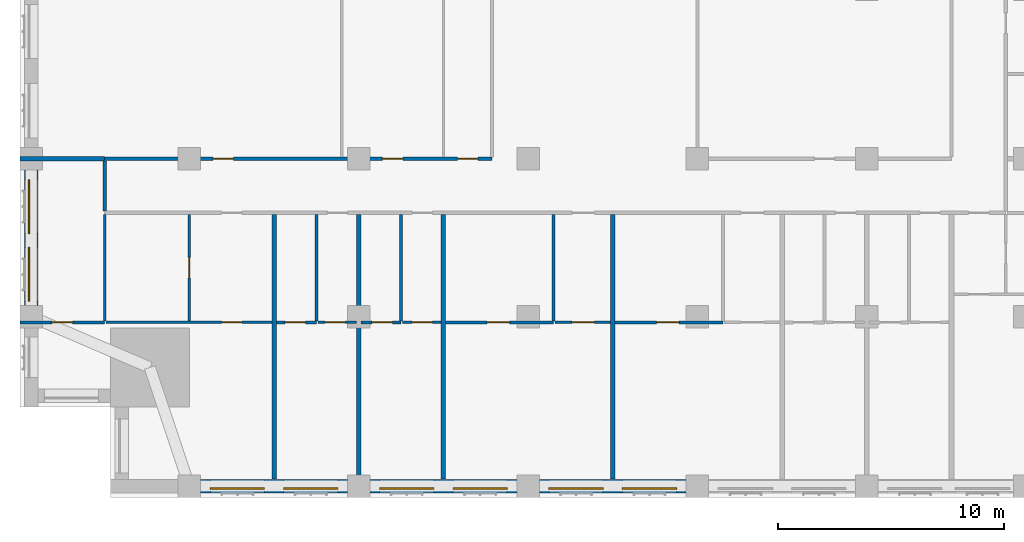
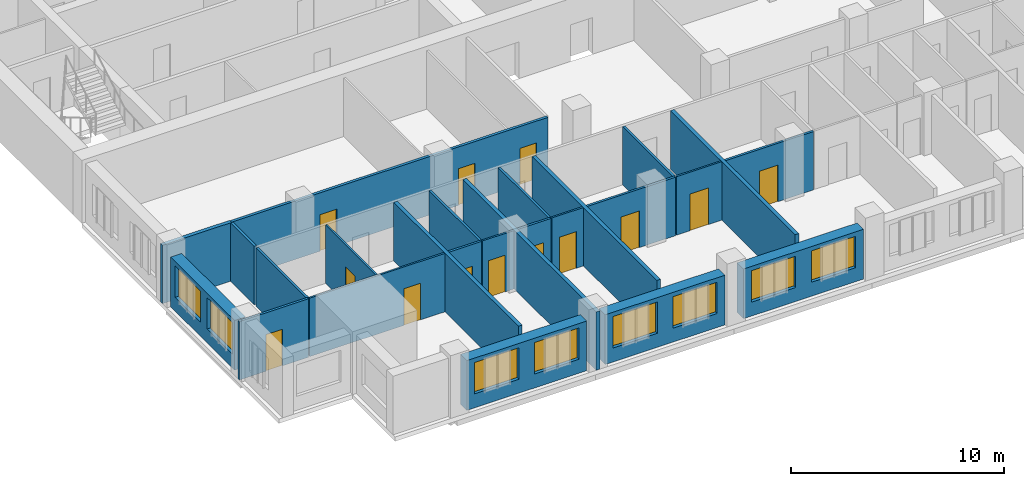
# One storey, part 4 of 14: 25 walls, 13 doors, 8 windows, 21 openings.
"""IFC4 building model written with IfcOpenShell, lengths in metres."""

from ifc_helpers import new_model, si_unit, direction, frame, frame_2d, origin, place, context, subcontext, project, spatial, rectangle, extrude, material, layer, layer_set, type_object, element, fill, save


model = new_model("IFC4")

# Units and contexts
model_context = context("Model", 3, precision=1e-05, world=origin(), true_north=direction((0.0, 1.0)))
body_context = subcontext(model_context, "Body", "Model", "MODEL_VIEW")
ifc_project = project(units=[si_unit("LENGTHUNIT", "METRE"), si_unit("AREAUNIT", "SQUARE_METRE"), si_unit("VOLUMEUNIT", "CUBIC_METRE"), si_unit("PLANEANGLEUNIT", "RADIAN"), si_unit("MASSUNIT", "GRAM", prefix="KILO")], contexts=[model_context])

# Site, building, storey
site_placement = place(None, origin())
site = spatial("IfcSite", under=ifc_project, at=site_placement, CompositionType="ELEMENT")
building_placement = place(site_placement, origin())
building = spatial("IfcBuilding", under=site, at=building_placement, Name="Tamorin Gate", CompositionType="ELEMENT")
storey_placement = place(building_placement, frame((0.0, 0.0, 141.0)))
storey = spatial("IfcBuildingStorey", under=building, at=storey_placement, Name="L34", CompositionType="ELEMENT", Elevation=141.0)

# Wall, openings, windows
ifc_material_1 = material(Name="Precast concrete C40/50", Category="concrete")
ifc_layer_1 = layer(ifc_material_1, 0.60009765625)
ifc_layer_set_1 = layer_set([ifc_layer_1], Name="Precast concrete C40/50")
wall_type_1 = type_object("IfcWallType", Name="Board-marked concrete facade panel 600", PredefinedType="SOLIDWALL", material=ifc_layer_set_1)
wall_1_placement = place(storey_placement, frame((38.0, 38.0, 0.0), z_axis=(0.0, 0.0, 1.0), x_axis=(1.0, 0.0, 0.0)))
wall_1 = element("IfcWall", 1, at=wall_1_placement, inside=storey, type_object=wall_type_1, Name="Facade panel", PredefinedType="SOLIDWALL", context=body_context, shape_type="SweptSolid", body=[
    extrude(rectangle(XDim=6.5, YDim=0.60009765625, at=frame_2d((3.25, 0.0))), origin(), (0.0, 0.0, 1.0), 2.85009765625),
])
opening_1_placement = place(wall_1_placement, frame((0.425048828125, 0.0, 0.800048828125)))
opening_1 = element("IfcOpeningElement", 2, at=opening_1_placement, cuts=wall_1, Name="Opening WN1", PredefinedType="OPENING", context=body_context, shape_type="SweptSolid", body=[
    extrude(rectangle(XDim=2.39990234375, YDim=1.800048828125, at=frame_2d((1.199951171875, 0.89990234375))), frame((0.0, 0.31005859375, 0.0), z_axis=(0.0, -1.0, 0.0), x_axis=(1.0, 0.0, 0.0)), (0.0, 0.0, 1.0), 0.6201171875),
])
opening_2_placement = place(wall_1_placement, frame((3.675048828125, 0.0, 0.800048828125)))
opening_2 = element("IfcOpeningElement", 3, at=opening_2_placement, cuts=wall_1, Name="Opening WN1", PredefinedType="OPENING", context=body_context, shape_type="SweptSolid", body=[
    extrude(rectangle(XDim=2.39990234375, YDim=1.800048828125, at=frame_2d((1.199951171875, 0.89990234375))), frame((0.0, 0.31005859375, 0.0), z_axis=(0.0, -1.0, 0.0), x_axis=(1.0, 0.0, 0.0)), (0.0, 0.0, 1.0), 0.6201171875),
])
ifc_material_2 = material(Name="Clear glass in aluminium frame", Category="aluminium")
window_type = type_object("IfcWindowType", Name="Deep-set window 2400x1800", PartitioningType="SINGLE_PANEL", PredefinedType="WINDOW", material=ifc_material_2)
window_1_placement = place(opening_1_placement, origin())
window_1 = element("IfcWindow", 4, at=window_1_placement, inside=storey, type_object=window_type, Name="Deep-set window", OverallHeight=1.800048828125, OverallWidth=2.39990234375, PartitioningType="SINGLE_PANEL", PredefinedType="WINDOW", context=body_context, shape_type="SweptSolid", body=[
    extrude(rectangle(XDim=2.39990234375, YDim=1.800048828125, at=frame_2d((1.199951171875, 0.89990234375))), frame((0.0, -0.070068359375, 0.0), z_axis=(0.0, -1.0, 0.0), x_axis=(1.0, 0.0, 0.0)), (0.0, 0.0, 1.0), 0.06005859375),
])
fill(opening_1, window_1)
window_2_placement = place(opening_2_placement, origin())
window_2 = element("IfcWindow", 5, at=window_2_placement, inside=storey, type_object=window_type, Name="Deep-set window", OverallHeight=1.800048828125, OverallWidth=2.39990234375, PartitioningType="SINGLE_PANEL", PredefinedType="WINDOW", context=body_context, shape_type="SweptSolid", body=[
    extrude(rectangle(XDim=2.39990234375, YDim=1.800048828125, at=frame_2d((1.199951171875, 0.89990234375))), frame((0.0, -0.070068359375, 0.0), z_axis=(0.0, -1.0, 0.0), x_axis=(1.0, 0.0, 0.0)), (0.0, 0.0, 1.0), 0.06005859375),
])
fill(opening_2, window_2)

wall_2_placement = place(storey_placement, frame((45.5, 38.0, 0.0), z_axis=(0.0, 0.0, 1.0), x_axis=(1.0, 0.0, 0.0)))
wall_2 = element("IfcWall", 6, at=wall_2_placement, inside=storey, type_object=wall_type_1, Name="Facade panel", PredefinedType="SOLIDWALL", context=body_context, shape_type="SweptSolid", body=[
    extrude(rectangle(XDim=6.5, YDim=0.60009765625, at=frame_2d((3.25, 0.0))), origin(), (0.0, 0.0, 1.0), 2.85009765625),
])
opening_3_placement = place(wall_2_placement, frame((0.425048828125, 0.0, 0.800048828125)))
opening_3 = element("IfcOpeningElement", 7, at=opening_3_placement, cuts=wall_2, Name="Opening WN1", PredefinedType="OPENING", context=body_context, shape_type="SweptSolid", body=[
    extrude(rectangle(XDim=2.39990234375, YDim=1.800048828125, at=frame_2d((1.199951171875, 0.89990234375))), frame((0.0, 0.31005859375, 0.0), z_axis=(0.0, -1.0, 0.0), x_axis=(1.0, 0.0, 0.0)), (0.0, 0.0, 1.0), 0.6201171875),
])
opening_4_placement = place(wall_2_placement, frame((3.675048828125, 0.0, 0.800048828125)))
opening_4 = element("IfcOpeningElement", 8, at=opening_4_placement, cuts=wall_2, Name="Opening WN1", PredefinedType="OPENING", context=body_context, shape_type="SweptSolid", body=[
    extrude(rectangle(XDim=2.39990234375, YDim=1.800048828125, at=frame_2d((1.199951171875, 0.89990234375))), frame((0.0, 0.31005859375, 0.0), z_axis=(0.0, -1.0, 0.0), x_axis=(1.0, 0.0, 0.0)), (0.0, 0.0, 1.0), 0.6201171875),
])
window_3_placement = place(opening_3_placement, origin())
window_3 = element("IfcWindow", 9, at=window_3_placement, inside=storey, type_object=window_type, Name="Deep-set window", OverallHeight=1.800048828125, OverallWidth=2.39990234375, PartitioningType="SINGLE_PANEL", PredefinedType="WINDOW", context=body_context, shape_type="SweptSolid", body=[
    extrude(rectangle(XDim=2.39990234375, YDim=1.800048828125, at=frame_2d((1.199951171875, 0.89990234375))), frame((0.0, -0.070068359375, 0.0), z_axis=(0.0, -1.0, 0.0), x_axis=(1.0, 0.0, 0.0)), (0.0, 0.0, 1.0), 0.06005859375),
])
fill(opening_3, window_3)
window_4_placement = place(opening_4_placement, origin())
window_4 = element("IfcWindow", 10, at=window_4_placement, inside=storey, type_object=window_type, Name="Deep-set window", OverallHeight=1.800048828125, OverallWidth=2.39990234375, PartitioningType="SINGLE_PANEL", PredefinedType="WINDOW", context=body_context, shape_type="SweptSolid", body=[
    extrude(rectangle(XDim=2.39990234375, YDim=1.800048828125, at=frame_2d((1.199951171875, 0.89990234375))), frame((0.0, -0.070068359375, 0.0), z_axis=(0.0, -1.0, 0.0), x_axis=(1.0, 0.0, 0.0)), (0.0, 0.0, 1.0), 0.06005859375),
])
fill(opening_4, window_4)

wall_3_placement = place(storey_placement, frame((53.0, 38.0, 0.0), z_axis=(0.0, 0.0, 1.0), x_axis=(1.0, 0.0, 0.0)))
wall_3 = element("IfcWall", 11, at=wall_3_placement, inside=storey, type_object=wall_type_1, Name="Facade panel", PredefinedType="SOLIDWALL", context=body_context, shape_type="SweptSolid", body=[
    extrude(rectangle(XDim=6.5, YDim=0.60009765625, at=frame_2d((3.25, 0.0))), origin(), (0.0, 0.0, 1.0), 2.85009765625),
])
opening_5_placement = place(wall_3_placement, frame((0.425048828125, 0.0, 0.800048828125)))
opening_5 = element("IfcOpeningElement", 12, at=opening_5_placement, cuts=wall_3, Name="Opening WN1", PredefinedType="OPENING", context=body_context, shape_type="SweptSolid", body=[
    extrude(rectangle(XDim=2.39990234375, YDim=1.800048828125, at=frame_2d((1.199951171875, 0.89990234375))), frame((0.0, 0.31005859375, 0.0), z_axis=(0.0, -1.0, 0.0), x_axis=(1.0, 0.0, 0.0)), (0.0, 0.0, 1.0), 0.6201171875),
])
opening_6_placement = place(wall_3_placement, frame((3.675048828125, 0.0, 0.800048828125)))
opening_6 = element("IfcOpeningElement", 13, at=opening_6_placement, cuts=wall_3, Name="Opening WN1", PredefinedType="OPENING", context=body_context, shape_type="SweptSolid", body=[
    extrude(rectangle(XDim=2.39990234375, YDim=1.800048828125, at=frame_2d((1.199951171875, 0.89990234375))), frame((0.0, 0.31005859375, 0.0), z_axis=(0.0, -1.0, 0.0), x_axis=(1.0, 0.0, 0.0)), (0.0, 0.0, 1.0), 0.6201171875),
])
window_5_placement = place(opening_5_placement, origin())
window_5 = element("IfcWindow", 14, at=window_5_placement, inside=storey, type_object=window_type, Name="Deep-set window", OverallHeight=1.800048828125, OverallWidth=2.39990234375, PartitioningType="SINGLE_PANEL", PredefinedType="WINDOW", context=body_context, shape_type="SweptSolid", body=[
    extrude(rectangle(XDim=2.39990234375, YDim=1.800048828125, at=frame_2d((1.199951171875, 0.89990234375))), frame((0.0, -0.070068359375, 0.0), z_axis=(0.0, -1.0, 0.0), x_axis=(1.0, 0.0, 0.0)), (0.0, 0.0, 1.0), 0.06005859375),
])
fill(opening_5, window_5)
window_6_placement = place(opening_6_placement, origin())
window_6 = element("IfcWindow", 15, at=window_6_placement, inside=storey, type_object=window_type, Name="Deep-set window", OverallHeight=1.800048828125, OverallWidth=2.39990234375, PartitioningType="SINGLE_PANEL", PredefinedType="WINDOW", context=body_context, shape_type="SweptSolid", body=[
    extrude(rectangle(XDim=2.39990234375, YDim=1.800048828125, at=frame_2d((1.199951171875, 0.89990234375))), frame((0.0, -0.070068359375, 0.0), z_axis=(0.0, -1.0, 0.0), x_axis=(1.0, 0.0, 0.0)), (0.0, 0.0, 1.0), 0.06005859375),
])
fill(opening_6, window_6)

wall_4_placement = place(storey_placement, frame((30.5, 52.0, 0.0), z_axis=(0.0, 0.0, 1.0), x_axis=(0.0, -1.0, 0.0)))
wall_4 = element("IfcWall", 16, at=wall_4_placement, inside=storey, type_object=wall_type_1, Name="Facade panel", PredefinedType="SOLIDWALL", context=body_context, shape_type="SweptSolid", body=[
    extrude(rectangle(XDim=6.0, YDim=0.60009765625, at=frame_2d((3.0, 0.0))), origin(), (0.0, 0.0, 1.0), 2.85009765625),
])
opening_7_placement = place(wall_4_placement, frame((3.425048828125, 0.0, 0.800048828125)))
opening_7 = element("IfcOpeningElement", 17, at=opening_7_placement, cuts=wall_4, Name="Opening WN1", PredefinedType="OPENING", context=body_context, shape_type="SweptSolid", body=[
    extrude(rectangle(XDim=2.39990234375, YDim=1.800048828125, at=frame_2d((1.199951171875, 0.89990234375))), frame((0.0, 0.31005859375, 0.0), z_axis=(0.0, -1.0, 0.0), x_axis=(1.0, 0.0, 0.0)), (0.0, 0.0, 1.0), 0.6201171875),
])
opening_8_placement = place(wall_4_placement, frame((0.425048828125, 0.0, 0.800048828125)))
opening_8 = element("IfcOpeningElement", 18, at=opening_8_placement, cuts=wall_4, Name="Opening WN1", PredefinedType="OPENING", context=body_context, shape_type="SweptSolid", body=[
    extrude(rectangle(XDim=2.39990234375, YDim=1.800048828125, at=frame_2d((1.199951171875, 0.89990234375))), frame((0.0, 0.31005859375, 0.0), z_axis=(0.0, -1.0, 0.0), x_axis=(1.0, 0.0, 0.0)), (0.0, 0.0, 1.0), 0.6201171875),
])
window_7_placement = place(opening_7_placement, origin())
window_7 = element("IfcWindow", 19, at=window_7_placement, inside=storey, type_object=window_type, Name="Deep-set window", OverallHeight=1.800048828125, OverallWidth=2.39990234375, PartitioningType="SINGLE_PANEL", PredefinedType="WINDOW", context=body_context, shape_type="SweptSolid", body=[
    extrude(rectangle(XDim=2.39990234375, YDim=1.800048828125, at=frame_2d((1.199951171875, 0.89990234375))), frame((0.0, -0.070068359375, 0.0), z_axis=(0.0, -1.0, 0.0), x_axis=(1.0, 0.0, 0.0)), (0.0, 0.0, 1.0), 0.06005859375),
])
fill(opening_7, window_7)
window_8_placement = place(opening_8_placement, origin())
window_8 = element("IfcWindow", 20, at=window_8_placement, inside=storey, type_object=window_type, Name="Deep-set window", OverallHeight=1.800048828125, OverallWidth=2.39990234375, PartitioningType="SINGLE_PANEL", PredefinedType="WINDOW", context=body_context, shape_type="SweptSolid", body=[
    extrude(rectangle(XDim=2.39990234375, YDim=1.800048828125, at=frame_2d((1.199951171875, 0.89990234375))), frame((0.0, -0.070068359375, 0.0), z_axis=(0.0, -1.0, 0.0), x_axis=(1.0, 0.0, 0.0)), (0.0, 0.0, 1.0), 0.06005859375),
])
fill(opening_8, window_8)

# Wall, openings, doors
ifc_material_3 = material(Name="Gypsum board partition")
ifc_layer_2 = layer(ifc_material_3, 0.14990234375)
ifc_layer_set_2 = layer_set([ifc_layer_2], Name="Corridor wall 150")
wall_type_2 = type_object("IfcWallType", Name="Corridor wall 150", PredefinedType="PARTITIONING", material=ifc_layer_set_2)
wall_5_placement = place(storey_placement, frame((33.75, 52.5, 0.0), z_axis=(0.0, 0.0, 1.0), x_axis=(1.0, 0.0, 0.0)))
wall_5 = element("IfcWall", 21, at=wall_5_placement, inside=storey, type_object=wall_type_2, Name="Corridor wall 150", PredefinedType="PARTITIONING", context=body_context, shape_type="SweptSolid", body=[
    extrude(rectangle(XDim=17.14990234375, YDim=0.14990234375, at=frame_2d((8.574951171875, 0.0))), origin(), (0.0, 0.0, 1.0), 3.35009765625),
])
opening_9_placement = place(wall_5_placement, frame((4.800048828125, 0.0, 0.0)))
opening_9 = element("IfcOpeningElement", 22, at=opening_9_placement, cuts=wall_5, Name="Opening DS4071", PredefinedType="OPENING", context=body_context, shape_type="SweptSolid", body=[
    extrude(rectangle(XDim=0.89990234375, YDim=2.10009765625, at=frame_2d((0.449951171875, 1.050048828125))), frame((0.0, 0.0849609375, 0.0), z_axis=(0.0, -1.0, 0.0), x_axis=(1.0, 0.0, 0.0)), (0.0, 0.0, 1.0), 0.169921875),
])
opening_10_placement = place(wall_5_placement, frame((12.300048828125, 0.0, 0.0)))
opening_10 = element("IfcOpeningElement", 23, at=opening_10_placement, cuts=wall_5, Name="Opening DS4072", PredefinedType="OPENING", context=body_context, shape_type="SweptSolid", body=[
    extrude(rectangle(XDim=0.89990234375, YDim=2.10009765625, at=frame_2d((0.449951171875, 1.050048828125))), frame((0.0, 0.0849609375, 0.0), z_axis=(0.0, -1.0, 0.0), x_axis=(1.0, 0.0, 0.0)), (0.0, 0.0, 1.0), 0.169921875),
])
opening_11_placement = place(wall_5_placement, frame((15.625, 0.0, 0.0)))
opening_11 = element("IfcOpeningElement", 24, at=opening_11_placement, cuts=wall_5, Name="Opening DS4073", PredefinedType="OPENING", context=body_context, shape_type="SweptSolid", body=[
    extrude(rectangle(XDim=0.89990234375, YDim=2.10009765625, at=frame_2d((0.449951171875, 1.050048828125))), frame((0.0, 0.0849609375, 0.0), z_axis=(0.0, -1.0, 0.0), x_axis=(1.0, 0.0, 0.0)), (0.0, 0.0, 1.0), 0.169921875),
])
ifc_material_4 = material(Name="Timber door leaf", Category="wood")
door_type_1 = type_object("IfcDoorType", Name="Door 900 x 2100 FD30S", OperationType="NOTDEFINED", PredefinedType="DOOR", material=ifc_material_4)
door_1_placement = place(opening_9_placement, origin())
door_1 = element("IfcDoor", 25, at=door_1_placement, inside=storey, type_object=door_type_1, Name="Door DS4071", OperationType="SINGLE_SWING_LEFT", OverallHeight=2.10009765625, OverallWidth=0.89990234375, PredefinedType="DOOR", context=body_context, shape_type="SweptSolid", body=[
    extrude(rectangle(XDim=0.89990234375, YDim=2.10009765625, at=frame_2d((0.449951171875, 1.050048828125))), frame((0.0, 0.02490234375, 0.0), z_axis=(0.0, -1.0, 0.0), x_axis=(1.0, 0.0, 0.0)), (0.0, 0.0, 1.0), 0.050048828125),
])
fill(opening_9, door_1)
door_2_placement = place(opening_10_placement, origin())
door_2 = element("IfcDoor", 26, at=door_2_placement, inside=storey, type_object=door_type_1, Name="Door DS4072", OperationType="SINGLE_SWING_LEFT", OverallHeight=2.10009765625, OverallWidth=0.89990234375, PredefinedType="DOOR", context=body_context, shape_type="SweptSolid", body=[
    extrude(rectangle(XDim=0.89990234375, YDim=2.10009765625, at=frame_2d((0.449951171875, 1.050048828125))), frame((0.0, 0.02490234375, 0.0), z_axis=(0.0, -1.0, 0.0), x_axis=(1.0, 0.0, 0.0)), (0.0, 0.0, 1.0), 0.050048828125),
])
fill(opening_10, door_2)
door_3_placement = place(opening_11_placement, origin())
door_3 = element("IfcDoor", 27, at=door_3_placement, inside=storey, type_object=door_type_1, Name="Door DS4073", OperationType="SINGLE_SWING_LEFT", OverallHeight=2.10009765625, OverallWidth=0.89990234375, PredefinedType="DOOR", context=body_context, shape_type="SweptSolid", body=[
    extrude(rectangle(XDim=0.89990234375, YDim=2.10009765625, at=frame_2d((0.449951171875, 1.050048828125))), frame((0.0, 0.02490234375, 0.0), z_axis=(0.0, -1.0, 0.0), x_axis=(1.0, 0.0, 0.0)), (0.0, 0.0, 1.0), 0.050048828125),
])
fill(opening_11, door_3)

# Walls
wall_6_placement = place(storey_placement, frame((33.75, 50.175048828125, 0.0), z_axis=(0.0, 0.0, 1.0), x_axis=(0.0, 1.0, 0.0)))
element("IfcWall", 28, at=wall_6_placement, inside=storey, type_object=wall_type_2, Name="Corridor wall 150", PredefinedType="PARTITIONING", context=body_context, shape_type="SweptSolid", body=[
    extrude(rectangle(XDim=2.224853515625, YDim=0.14990234375, at=frame_2d((1.1123046875, 0.0))), origin(), (0.0, 0.0, 1.0), 3.35009765625),
])
ifc_layer_3 = layer(ifc_material_3, 0.199951171875)
ifc_layer_set_3 = layer_set([ifc_layer_3], Name="Demising wall 200")
wall_type_3 = type_object("IfcWallType", Name="Demising wall 200", PredefinedType="PARTITIONING", material=ifc_layer_set_3)
wall_7_placement = place(storey_placement, frame((30.0, 52.5, 0.0), z_axis=(0.0, 0.0, 1.0), x_axis=(1.0, 0.0, 0.0)))
element("IfcWall", 29, at=wall_7_placement, inside=storey, type_object=wall_type_3, Name="Demising wall 200", PredefinedType="PARTITIONING", context=body_context, shape_type="SweptSolid", body=[
    extrude(rectangle(XDim=3.75, YDim=0.199951171875, at=frame_2d((1.875, 0.0))), origin(), (0.0, 0.0, 1.0), 3.35009765625),
])
wall_8_placement = place(storey_placement, frame((41.25, 38.31005859375, 0.0), z_axis=(0.0, 0.0, 1.0), x_axis=(0.0, 1.0, 0.0)))
element("IfcWall", 30, at=wall_8_placement, inside=storey, type_object=wall_type_3, Name="Demising wall 200", PredefinedType="PARTITIONING", context=body_context, shape_type="SweptSolid", body=[
    extrude(rectangle(XDim=11.71484375, YDim=0.199951171875, at=frame_2d((5.857421875, 0.0))), origin(), (0.0, 0.0, 1.0), 3.35009765625),
])
wall_9_placement = place(storey_placement, frame((45.0, 37.5, 0.0), z_axis=(0.0, 0.0, 1.0), x_axis=(0.0, 1.0, 0.0)))
element("IfcWall", 31, at=wall_9_placement, inside=storey, type_object=wall_type_3, Name="Demising wall 200", PredefinedType="PARTITIONING", context=body_context, shape_type="SweptSolid", body=[
    extrude(rectangle(XDim=12.52490234375, YDim=0.199951171875, at=frame_2d((6.262451171875, 0.0))), origin(), (0.0, 0.0, 1.0), 3.35009765625),
])
for number, where, z_axis, x_axis, name in (
    (32, (48.75, 38.31005859375, 0.0), (0.0, 0.0, 1.0), (0.0, 1.0, 0.0), "Demising wall 200"),
    (33, (56.25, 38.31005859375, 0.0), (0.0, 0.0, 1.0), (0.0, 1.0, 0.0), "Demising wall 200"),
):
    element("IfcWall", number, at=place(storey_placement, frame(where, z_axis=z_axis, x_axis=x_axis)), inside=storey, type_object=wall_type_3, Name=name, PredefinedType="PARTITIONING", context=body_context, shape_type="SweptSolid", body=[
        extrude(rectangle(XDim=11.71484375, YDim=0.199951171875, at=frame_2d((5.857421875, 0.0))), origin(), (0.0, 0.0, 1.0), 3.35009765625),
    ])

# Wall, opening, door
ifc_layer_4 = layer(ifc_material_3, 0.10009765625)
ifc_layer_set_4 = layer_set([ifc_layer_4], Name="Room partition 100")
wall_type_4 = type_object("IfcWallType", Name="Room partition 100", PredefinedType="PARTITIONING", material=ifc_layer_set_4)
wall_10_placement = place(storey_placement, frame((33.8125, 45.25, 0.0), z_axis=(0.0, 0.0, 1.0), x_axis=(1.0, 0.0, 0.0)))
wall_10 = element("IfcWall", 34, at=wall_10_placement, inside=storey, type_object=wall_type_4, Name="Room partition 100", PredefinedType="PARTITIONING", context=body_context, shape_type="SweptSolid", body=[
    extrude(rectangle(XDim=7.33740234375, YDim=0.10009765625, at=frame_2d((3.668701171875, 0.0))), origin(), (0.0, 0.0, 1.0), 3.35009765625),
])
opening_12_placement = place(wall_10_placement, frame((5.112548828125, 0.0, 0.0)))
opening_12 = element("IfcOpeningElement", 35, at=opening_12_placement, cuts=wall_10, Name="Opening DS4004", PredefinedType="OPENING", context=body_context, shape_type="SweptSolid", body=[
    extrude(rectangle(XDim=0.89990234375, YDim=2.10009765625, at=frame_2d((0.449951171875, 1.050048828125))), frame((0.0, 0.06005859375, 0.0), z_axis=(0.0, -1.0, 0.0), x_axis=(1.0, 0.0, 0.0)), (0.0, 0.0, 1.0), 0.1201171875),
])
door_type_2 = type_object("IfcDoorType", Name="Door 900 x 2100", OperationType="NOTDEFINED", PredefinedType="DOOR", material=ifc_material_4)
door_4_placement = place(opening_12_placement, origin())
door_4 = element("IfcDoor", 36, at=door_4_placement, inside=storey, type_object=door_type_2, Name="Door DS4004", OperationType="SINGLE_SWING_LEFT", OverallHeight=2.10009765625, OverallWidth=0.89990234375, PredefinedType="DOOR", context=body_context, shape_type="SweptSolid", body=[
    extrude(rectangle(XDim=0.89990234375, YDim=2.10009765625, at=frame_2d((0.449951171875, 1.050048828125))), frame((0.0, 0.02490234375, 0.0), z_axis=(0.0, -1.0, 0.0), x_axis=(1.0, 0.0, 0.0)), (0.0, 0.0, 1.0), 0.050048828125),
])
fill(opening_12, door_4)

wall_11_placement = place(storey_placement, frame((43.1875, 45.25, 0.0), z_axis=(0.0, 0.0, 1.0), x_axis=(1.0, 0.0, 0.0)))
wall_11 = element("IfcWall", 37, at=wall_11_placement, inside=storey, type_object=wall_type_4, Name="Room partition 100", PredefinedType="PARTITIONING", context=body_context, shape_type="SweptSolid", body=[
    extrude(rectangle(XDim=1.71240234375, YDim=0.10009765625, at=frame_2d((0.856201171875, 0.0))), origin(), (0.0, 0.0, 1.0), 3.35009765625),
])
opening_13_placement = place(wall_11_placement, frame((0.324951171875, 0.0, 0.0)))
opening_13 = element("IfcOpeningElement", 38, at=opening_13_placement, cuts=wall_11, Name="Opening DS4007", PredefinedType="OPENING", context=body_context, shape_type="SweptSolid", body=[
    extrude(rectangle(XDim=0.89990234375, YDim=2.10009765625, at=frame_2d((0.449951171875, 1.050048828125))), frame((0.0, 0.06005859375, 0.0), z_axis=(0.0, -1.0, 0.0), x_axis=(1.0, 0.0, 0.0)), (0.0, 0.0, 1.0), 0.1201171875),
])
door_5_placement = place(opening_13_placement, origin())
door_5 = element("IfcDoor", 39, at=door_5_placement, inside=storey, type_object=door_type_2, Name="Door DS4007", OperationType="SINGLE_SWING_LEFT", OverallHeight=2.10009765625, OverallWidth=0.89990234375, PredefinedType="DOOR", context=body_context, shape_type="SweptSolid", body=[
    extrude(rectangle(XDim=0.89990234375, YDim=2.10009765625, at=frame_2d((0.449951171875, 1.050048828125))), frame((0.0, 0.02490234375, 0.0), z_axis=(0.0, -1.0, 0.0), x_axis=(1.0, 0.0, 0.0)), (0.0, 0.0, 1.0), 0.050048828125),
])
fill(opening_13, door_5)

wall_12_placement = place(storey_placement, frame((46.9375, 45.25, 0.0), z_axis=(0.0, 0.0, 1.0), x_axis=(1.0, 0.0, 0.0)))
wall_12 = element("IfcWall", 40, at=wall_12_placement, inside=storey, type_object=wall_type_4, Name="Room partition 100", PredefinedType="PARTITIONING", context=body_context, shape_type="SweptSolid", body=[
    extrude(rectangle(XDim=1.71240234375, YDim=0.10009765625, at=frame_2d((0.856201171875, 0.0))), origin(), (0.0, 0.0, 1.0), 3.35009765625),
])
opening_14_placement = place(wall_12_placement, frame((0.425048828125, 0.0, 0.0)))
opening_14 = element("IfcOpeningElement", 41, at=opening_14_placement, cuts=wall_12, Name="Opening DS4010", PredefinedType="OPENING", context=body_context, shape_type="SweptSolid", body=[
    extrude(rectangle(XDim=0.89990234375, YDim=2.10009765625, at=frame_2d((0.449951171875, 1.050048828125))), frame((0.0, 0.06005859375, 0.0), z_axis=(0.0, -1.0, 0.0), x_axis=(1.0, 0.0, 0.0)), (0.0, 0.0, 1.0), 0.1201171875),
])
door_6_placement = place(opening_14_placement, origin())
door_6 = element("IfcDoor", 42, at=door_6_placement, inside=storey, type_object=door_type_2, Name="Door DS4010", OperationType="SINGLE_SWING_LEFT", OverallHeight=2.10009765625, OverallWidth=0.89990234375, PredefinedType="DOOR", context=body_context, shape_type="SweptSolid", body=[
    extrude(rectangle(XDim=0.89990234375, YDim=2.10009765625, at=frame_2d((0.449951171875, 1.050048828125))), frame((0.0, 0.02490234375, 0.0), z_axis=(0.0, -1.0, 0.0), x_axis=(1.0, 0.0, 0.0)), (0.0, 0.0, 1.0), 0.050048828125),
])
fill(opening_14, door_6)

wall_13_placement = place(storey_placement, frame((53.6875, 45.25, 0.0), z_axis=(0.0, 0.0, 1.0), x_axis=(1.0, 0.0, 0.0)))
wall_13 = element("IfcWall", 43, at=wall_13_placement, inside=storey, type_object=wall_type_4, Name="Room partition 100", PredefinedType="PARTITIONING", context=body_context, shape_type="SweptSolid", body=[
    extrude(rectangle(XDim=2.46240234375, YDim=0.10009765625, at=frame_2d((1.231201171875, 0.0))), origin(), (0.0, 0.0, 1.0), 3.35009765625),
])
opening_15_placement = place(wall_13_placement, frame((0.75, 0.0, 0.0)))
opening_15 = element("IfcOpeningElement", 44, at=opening_15_placement, cuts=wall_13, Name="Opening DS4013", PredefinedType="OPENING", context=body_context, shape_type="SweptSolid", body=[
    extrude(rectangle(XDim=1.0, YDim=2.10009765625, at=frame_2d((0.5, 1.050048828125))), frame((0.0, 0.06005859375, 0.0), z_axis=(0.0, -1.0, 0.0), x_axis=(1.0, 0.0, 0.0)), (0.0, 0.0, 1.0), 0.1201171875),
])
door_type_3 = type_object("IfcDoorType", Name="Door 1000 x 2100", OperationType="NOTDEFINED", PredefinedType="DOOR", material=ifc_material_4)
door_7_placement = place(opening_15_placement, origin())
door_7 = element("IfcDoor", 45, at=door_7_placement, inside=storey, type_object=door_type_3, Name="Door DS4013", OperationType="SINGLE_SWING_LEFT", OverallHeight=2.10009765625, OverallWidth=1.0, PredefinedType="DOOR", context=body_context, shape_type="SweptSolid", body=[
    extrude(rectangle(XDim=1.0, YDim=2.10009765625, at=frame_2d((0.5, 1.050048828125))), frame((0.0, 0.02490234375, 0.0), z_axis=(0.0, -1.0, 0.0), x_axis=(1.0, 0.0, 0.0)), (0.0, 0.0, 1.0), 0.050048828125),
])
fill(opening_15, door_7)

wall_14_placement = place(storey_placement, frame((37.5, 45.300048828125, 0.0), z_axis=(0.0, 0.0, 1.0), x_axis=(0.0, 1.0, 0.0)))
wall_14 = element("IfcWall", 46, at=wall_14_placement, inside=storey, type_object=wall_type_4, Name="Room partition 100", PredefinedType="PARTITIONING", context=body_context, shape_type="SweptSolid", body=[
    extrude(rectangle(XDim=4.724853515625, YDim=0.10009765625, at=frame_2d((2.3623046875, 0.0))), origin(), (0.0, 0.0, 1.0), 3.35009765625),
])
opening_16_placement = place(wall_14_placement, frame((1.925048828125, 0.0, 0.0)))
opening_16 = element("IfcOpeningElement", 47, at=opening_16_placement, cuts=wall_14, Name="Opening DS4002", PredefinedType="OPENING", context=body_context, shape_type="SweptSolid", body=[
    extrude(rectangle(XDim=0.89990234375, YDim=2.10009765625, at=frame_2d((0.449951171875, 1.050048828125))), frame((0.0, 0.06005859375, 0.0), z_axis=(0.0, -1.0, 0.0), x_axis=(1.0, 0.0, 0.0)), (0.0, 0.0, 1.0), 0.1201171875),
])
door_8_placement = place(opening_16_placement, origin())
door_8 = element("IfcDoor", 48, at=door_8_placement, inside=storey, type_object=door_type_2, Name="Door DS4002", OperationType="SINGLE_SWING_RIGHT", OverallHeight=2.10009765625, OverallWidth=0.89990234375, PredefinedType="DOOR", context=body_context, shape_type="SweptSolid", body=[
    extrude(rectangle(XDim=0.89990234375, YDim=2.10009765625, at=frame_2d((0.449951171875, 1.050048828125))), frame((0.0, 0.02490234375, 0.0), z_axis=(0.0, -1.0, 0.0), x_axis=(1.0, 0.0, 0.0)), (0.0, 0.0, 1.0), 0.050048828125),
])
fill(opening_16, door_8)

ifc_layer_5 = layer(ifc_material_3, 0.125)
ifc_layer_set_5 = layer_set([ifc_layer_5], Name="Wet wall 125")
wall_type_5 = type_object("IfcWallType", Name="Wet wall 125", PredefinedType="PARTITIONING", material=ifc_layer_set_5)
wall_15_placement = place(storey_placement, frame((30.0, 45.25, 0.0), z_axis=(0.0, 0.0, 1.0), x_axis=(1.0, 0.0, 0.0)))
wall_15 = element("IfcWall", 49, at=wall_15_placement, inside=storey, type_object=wall_type_5, Name="Wet wall 125", PredefinedType="PARTITIONING", context=body_context, shape_type="SweptSolid", body=[
    extrude(rectangle(XDim=3.75, YDim=0.125, at=frame_2d((1.875, 0.0))), origin(), (0.0, 0.0, 1.0), 3.35009765625),
])
opening_17_placement = place(wall_15_placement, frame((1.425048828125, 0.0, 0.0)))
opening_17 = element("IfcOpeningElement", 50, at=opening_17_placement, cuts=wall_15, Name="Opening DS4001", PredefinedType="OPENING", context=body_context, shape_type="SweptSolid", body=[
    extrude(rectangle(XDim=0.89990234375, YDim=2.10009765625, at=frame_2d((0.449951171875, 1.050048828125))), frame((0.0, 0.072509765625, 0.0), z_axis=(0.0, -1.0, 0.0), x_axis=(1.0, 0.0, 0.0)), (0.0, 0.0, 1.0), 0.14501953125),
])
door_9_placement = place(opening_17_placement, origin())
door_9 = element("IfcDoor", 51, at=door_9_placement, inside=storey, type_object=door_type_2, Name="Door DS4001", OperationType="SINGLE_SWING_LEFT", OverallHeight=2.10009765625, OverallWidth=0.89990234375, PredefinedType="DOOR", context=body_context, shape_type="SweptSolid", body=[
    extrude(rectangle(XDim=0.89990234375, YDim=2.10009765625, at=frame_2d((0.449951171875, 1.050048828125))), frame((0.0, 0.02490234375, 0.0), z_axis=(0.0, -1.0, 0.0), x_axis=(1.0, 0.0, 0.0)), (0.0, 0.0, 1.0), 0.050048828125),
])
fill(opening_17, door_9)

wall_16_placement = place(storey_placement, frame((41.35009765625, 45.25, 0.0), z_axis=(0.0, 0.0, 1.0), x_axis=(1.0, 0.0, 0.0)))
wall_16 = element("IfcWall", 52, at=wall_16_placement, inside=storey, type_object=wall_type_5, Name="Wet wall 125", PredefinedType="PARTITIONING", context=body_context, shape_type="SweptSolid", body=[
    extrude(rectangle(XDim=1.77490234375, YDim=0.125, at=frame_2d((0.887451171875, 0.0))), origin(), (0.0, 0.0, 1.0), 3.35009765625),
])
opening_18_placement = place(wall_16_placement, frame((0.387451171875, 0.0, 0.0)))
opening_18 = element("IfcOpeningElement", 53, at=opening_18_placement, cuts=wall_16, Name="Opening DS4005", PredefinedType="OPENING", context=body_context, shape_type="SweptSolid", body=[
    extrude(rectangle(XDim=0.89990234375, YDim=2.10009765625, at=frame_2d((0.449951171875, 1.050048828125))), frame((0.0, 0.072509765625, 0.0), z_axis=(0.0, -1.0, 0.0), x_axis=(1.0, 0.0, 0.0)), (0.0, 0.0, 1.0), 0.14501953125),
])
door_10_placement = place(opening_18_placement, origin())
door_10 = element("IfcDoor", 54, at=door_10_placement, inside=storey, type_object=door_type_2, Name="Door DS4005", OperationType="SINGLE_SWING_LEFT", OverallHeight=2.10009765625, OverallWidth=0.89990234375, PredefinedType="DOOR", context=body_context, shape_type="SweptSolid", body=[
    extrude(rectangle(XDim=0.89990234375, YDim=2.10009765625, at=frame_2d((0.449951171875, 1.050048828125))), frame((0.0, 0.02490234375, 0.0), z_axis=(0.0, -1.0, 0.0), x_axis=(1.0, 0.0, 0.0)), (0.0, 0.0, 1.0), 0.050048828125),
])
fill(opening_18, door_10)

wall_17_placement = place(storey_placement, frame((45.10009765625, 45.25, 0.0), z_axis=(0.0, 0.0, 1.0), x_axis=(1.0, 0.0, 0.0)))
wall_17 = element("IfcWall", 55, at=wall_17_placement, inside=storey, type_object=wall_type_5, Name="Wet wall 125", PredefinedType="PARTITIONING", context=body_context, shape_type="SweptSolid", body=[
    extrude(rectangle(XDim=1.77490234375, YDim=0.125, at=frame_2d((0.887451171875, 0.0))), origin(), (0.0, 0.0, 1.0), 3.35009765625),
])
opening_19_placement = place(wall_17_placement, frame((0.487548828125, 0.0, 0.0)))
opening_19 = element("IfcOpeningElement", 56, at=opening_19_placement, cuts=wall_17, Name="Opening DS4008", PredefinedType="OPENING", context=body_context, shape_type="SweptSolid", body=[
    extrude(rectangle(XDim=0.89990234375, YDim=2.10009765625, at=frame_2d((0.449951171875, 1.050048828125))), frame((0.0, 0.072509765625, 0.0), z_axis=(0.0, -1.0, 0.0), x_axis=(1.0, 0.0, 0.0)), (0.0, 0.0, 1.0), 0.14501953125),
])
door_11_placement = place(opening_19_placement, origin())
door_11 = element("IfcDoor", 57, at=door_11_placement, inside=storey, type_object=door_type_2, Name="Door DS4008", OperationType="SINGLE_SWING_RIGHT", OverallHeight=2.10009765625, OverallWidth=0.89990234375, PredefinedType="DOOR", context=body_context, shape_type="SweptSolid", body=[
    extrude(rectangle(XDim=0.89990234375, YDim=2.10009765625, at=frame_2d((0.449951171875, 1.050048828125))), frame((0.0, 0.02490234375, 0.0), z_axis=(0.0, -1.0, 0.0), x_axis=(1.0, 0.0, 0.0)), (0.0, 0.0, 1.0), 0.050048828125),
])
fill(opening_19, door_11)

wall_18_placement = place(storey_placement, frame((48.85009765625, 45.25, 0.0), z_axis=(0.0, 0.0, 1.0), x_axis=(1.0, 0.0, 0.0)))
wall_18 = element("IfcWall", 58, at=wall_18_placement, inside=storey, type_object=wall_type_5, Name="Wet wall 125", PredefinedType="PARTITIONING", context=body_context, shape_type="SweptSolid", body=[
    extrude(rectangle(XDim=4.77490234375, YDim=0.125, at=frame_2d((2.387451171875, 0.0))), origin(), (0.0, 0.0, 1.0), 3.35009765625),
])
opening_20_placement = place(wall_18_placement, frame((1.83740234375, 0.0, 0.0)))
opening_20 = element("IfcOpeningElement", 59, at=opening_20_placement, cuts=wall_18, Name="Opening DS4011", PredefinedType="OPENING", context=body_context, shape_type="SweptSolid", body=[
    extrude(rectangle(XDim=1.0, YDim=2.10009765625, at=frame_2d((0.5, 1.050048828125))), frame((0.0, 0.072509765625, 0.0), z_axis=(0.0, -1.0, 0.0), x_axis=(1.0, 0.0, 0.0)), (0.0, 0.0, 1.0), 0.14501953125),
])
door_12_placement = place(opening_20_placement, origin())
door_12 = element("IfcDoor", 60, at=door_12_placement, inside=storey, type_object=door_type_3, Name="Door DS4011", OperationType="SINGLE_SWING_LEFT", OverallHeight=2.10009765625, OverallWidth=1.0, PredefinedType="DOOR", context=body_context, shape_type="SweptSolid", body=[
    extrude(rectangle(XDim=1.0, YDim=2.10009765625, at=frame_2d((0.5, 1.050048828125))), frame((0.0, 0.02490234375, 0.0), z_axis=(0.0, -1.0, 0.0), x_axis=(1.0, 0.0, 0.0)), (0.0, 0.0, 1.0), 0.050048828125),
])
fill(opening_20, door_12)

wall_19_placement = place(storey_placement, frame((56.35009765625, 45.25, 0.0), z_axis=(0.0, 0.0, 1.0), x_axis=(1.0, 0.0, 0.0)))
wall_19 = element("IfcWall", 61, at=wall_19_placement, inside=storey, type_object=wall_type_5, Name="Wet wall 125", PredefinedType="PARTITIONING", context=body_context, shape_type="SweptSolid", body=[
    extrude(rectangle(XDim=4.77490234375, YDim=0.125, at=frame_2d((2.387451171875, 0.0))), origin(), (0.0, 0.0, 1.0), 3.35009765625),
])
opening_21_placement = place(wall_19_placement, frame((1.83740234375, 0.0, 0.0)))
opening_21 = element("IfcOpeningElement", 62, at=opening_21_placement, cuts=wall_19, Name="Opening DS4014", PredefinedType="OPENING", context=body_context, shape_type="SweptSolid", body=[
    extrude(rectangle(XDim=1.0, YDim=2.10009765625, at=frame_2d((0.5, 1.050048828125))), frame((0.0, 0.072509765625, 0.0), z_axis=(0.0, -1.0, 0.0), x_axis=(1.0, 0.0, 0.0)), (0.0, 0.0, 1.0), 0.14501953125),
])
door_13_placement = place(opening_21_placement, origin())
door_13 = element("IfcDoor", 63, at=door_13_placement, inside=storey, type_object=door_type_3, Name="Door DS4014", OperationType="SINGLE_SWING_LEFT", OverallHeight=2.10009765625, OverallWidth=1.0, PredefinedType="DOOR", context=body_context, shape_type="SweptSolid", body=[
    extrude(rectangle(XDim=1.0, YDim=2.10009765625, at=frame_2d((0.5, 1.050048828125))), frame((0.0, 0.02490234375, 0.0), z_axis=(0.0, -1.0, 0.0), x_axis=(1.0, 0.0, 0.0)), (0.0, 0.0, 1.0), 0.050048828125),
])
fill(opening_21, door_13)

# Walls
for number, where, z_axis, x_axis, name in (
    (64, (33.75, 45.3125, 0.0), (0.0, 0.0, 1.0), (0.0, 1.0, 0.0), "Wet wall 125"),
    (65, (43.125, 45.3125, 0.0), (0.0, 0.0, 1.0), (0.0, 1.0, 0.0), "Wet wall 125"),
    (66, (46.875, 45.3125, 0.0), (0.0, 0.0, 1.0), (0.0, 1.0, 0.0), "Wet wall 125"),
    (67, (53.625, 45.3125, 0.0), (0.0, 0.0, 1.0), (0.0, 1.0, 0.0), "Wet wall 125"),
):
    element("IfcWall", number, at=place(storey_placement, frame(where, z_axis=z_axis, x_axis=x_axis)), inside=storey, type_object=wall_type_5, Name=name, PredefinedType="PARTITIONING", context=body_context, shape_type="SweptSolid", body=[
        extrude(rectangle(XDim=4.71240234375, YDim=0.125, at=frame_2d((2.356201171875, 0.0))), origin(), (0.0, 0.0, 1.0), 3.35009765625),
    ])

save(model, "model.ifc")
